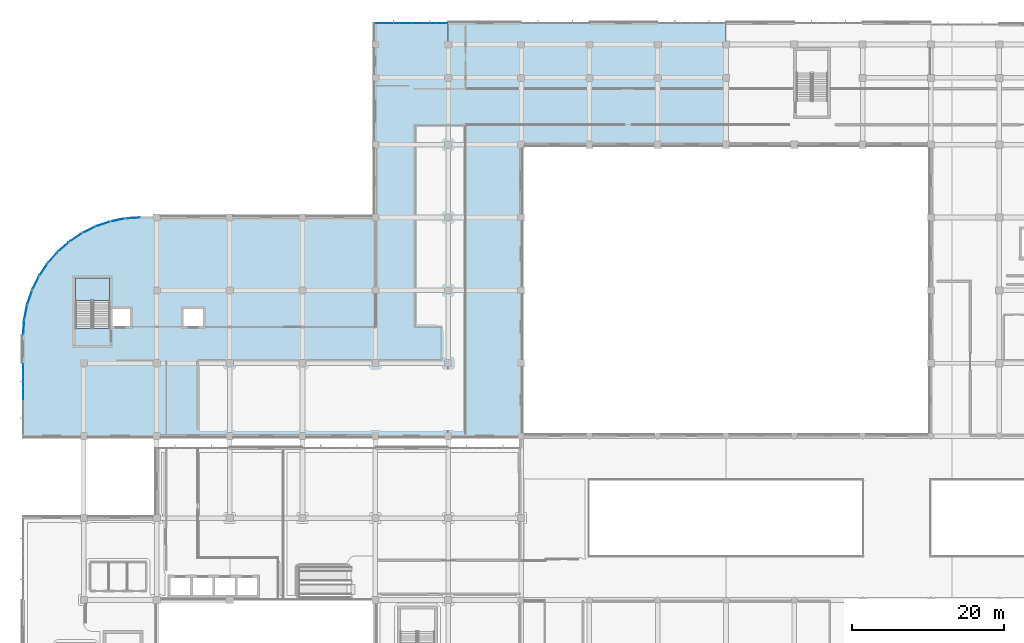
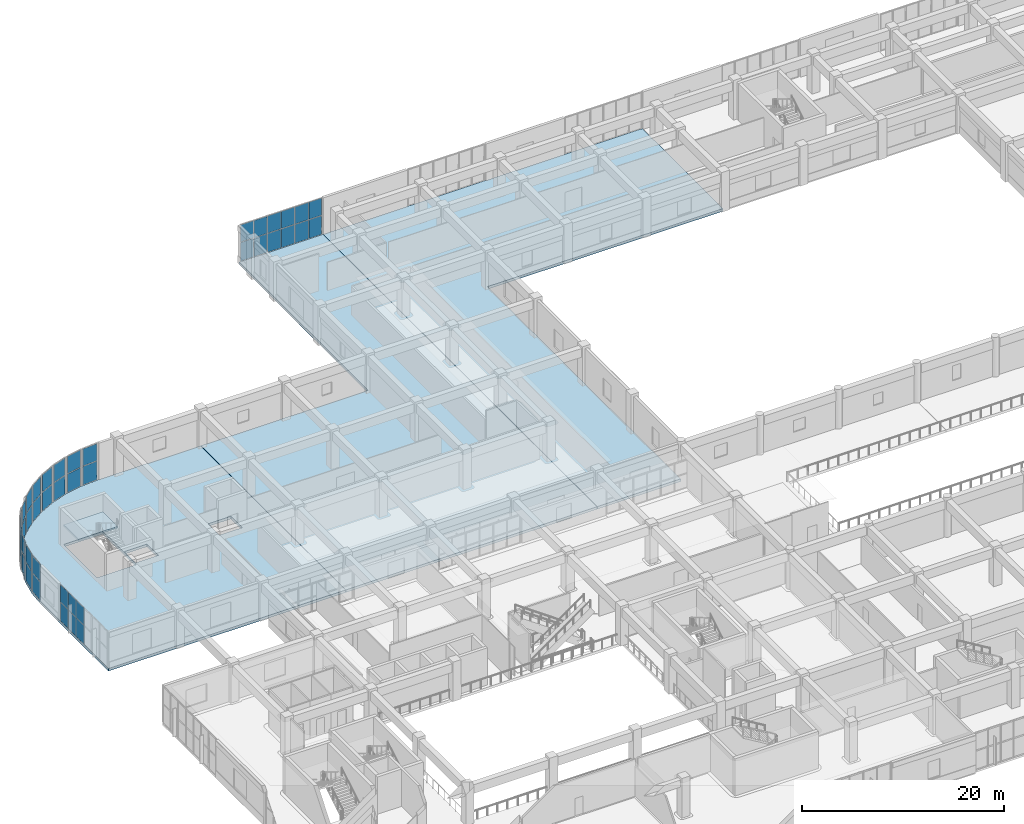
# One storey, part 46 of 86: 42 plates, 4 slabs, 15 elements without a shape of their own.
"""IFC4 building model written with IfcOpenShell, lengths in metres."""

from ifc_helpers import new_model, si_unit, direction, frame, origin, origin_2d, place, context, subcontext, project, spatial, polyline, rectangle, outline, extrude, material, layer, layer_set, type_object, element, aggregate, save


model = new_model("IFC4")

# Units and contexts
model_context = context("Model", 3, precision=1e-05, world=origin(), true_north=direction((0.0, 1.0)))
body_context = subcontext(model_context, "Body", "Model", "MODEL_VIEW")
ifc_project = project(units=[si_unit("LENGTHUNIT", "METRE"), si_unit("AREAUNIT", "SQUARE_METRE"), si_unit("VOLUMEUNIT", "CUBIC_METRE"), si_unit("PLANEANGLEUNIT", "RADIAN"), si_unit("MASSUNIT", "GRAM", prefix="KILO")], contexts=[model_context])

# Site, building, storey
site_placement = place(None, origin())
site = spatial("IfcSite", under=ifc_project, at=site_placement, CompositionType="ELEMENT")
building_placement = place(site_placement, origin())
building = spatial("IfcBuilding", under=site, at=building_placement, Name="Cendralis Terraced Arcade", CompositionType="ELEMENT")
storey_placement = place(building_placement, frame((0.0, 0.0, 5.39990234375)))
storey = spatial("IfcBuildingStorey", under=building, at=storey_placement, Name="L01", CompositionType="ELEMENT", Elevation=5.39990234375)

# Curtain wall, plates
ifc_material_1 = material(Name="Anodised aluminium EN AW-6063 T6", Category="aluminium")
ifc_layer_1 = layer(ifc_material_1, 0.1201171875, Name="CW-STORE-B")
ifc_layer_set_1 = layer_set([ifc_layer_1], Name="Anodised aluminium EN AW-6063 T6")
curtain_wall_type_1 = type_object("IfcCurtainWallType", Name="CW-STORE-B", PredefinedType="USERDEFINED", material=ifc_layer_set_1)
curtain_wall_1_placement = place(storey_placement, origin())
curtain_wall_1 = element("IfcCurtainWall", 1, at=curtain_wall_1_placement, inside=storey, type_object=curtain_wall_type_1, Name="Exterior Storefront Glazing CW-L01-0037", ObjectType="STOREFRONT GLAZING", PredefinedType="USERDEFINED")
ifc_material_2 = material(Name="Tempered solar control laminated glass", Category="glass")
ifc_layer_2 = layer(ifc_material_2, 0.02392578125, Name="CW-STORE-B-PNL")
ifc_layer_set_2 = layer_set([ifc_layer_2], Name="Tempered solar control laminated glass")
plate_type_1 = type_object("IfcPlateType", Name="CW-STORE-B-PNL", PredefinedType="CURTAIN_PANEL", material=ifc_layer_set_2)
plate_1_placement = place(storey_placement, frame((1.60009765625, 65.5849609375, 0.05517578125), z_axis=(0.0, 0.0, 1.0), x_axis=(0.0, 1.0, 0.0)))
plate_1 = element("IfcPlate", 2, at=plate_1_placement, type_object=plate_type_1, Name="CW-S2 panel 4.1", PredefinedType="CURTAIN_PANEL", context=body_context, shape_type="SweptSolid", body=[
    extrude(rectangle(XDim=1.514892578125, YDim=0.02392578125, at=origin_2d()), origin(), (0.0, 0.0, 1.0), 2.260009765625),
])
plate_2_placement = place(storey_placement, frame((1.60009765625, 65.5849609375, 2.3701171875), z_axis=(0.0, 0.0, 1.0), x_axis=(0.0, 1.0, 0.0)))
plate_2 = element("IfcPlate", 3, at=plate_2_placement, type_object=plate_type_1, Name="CW-S2 panel 4.2", PredefinedType="CURTAIN_PANEL", context=body_context, shape_type="SweptSolid", body=[
    extrude(rectangle(XDim=1.514892578125, YDim=0.02392578125, at=origin_2d()), origin(), (0.0, 0.0, 1.0), 2.079833984375),
])
plate_3_placement = place(storey_placement, frame((1.60009765625, 67.155029296875, 0.05517578125), z_axis=(0.0, 0.0, 1.0), x_axis=(0.0, 1.0, 0.0)))
plate_3 = element("IfcPlate", 4, at=plate_3_placement, type_object=plate_type_1, Name="CW-S2 panel 5.1", PredefinedType="CURTAIN_PANEL", context=body_context, shape_type="SweptSolid", body=[
    extrude(rectangle(XDim=1.514892578125, YDim=0.02392578125, at=origin_2d()), origin(), (0.0, 0.0, 1.0), 2.260009765625),
])
plate_4_placement = place(storey_placement, frame((1.60009765625, 67.155029296875, 2.3701171875), z_axis=(0.0, 0.0, 1.0), x_axis=(0.0, 1.0, 0.0)))
plate_4 = element("IfcPlate", 5, at=plate_4_placement, type_object=plate_type_1, Name="CW-S2 panel 5.2", PredefinedType="CURTAIN_PANEL", context=body_context, shape_type="SweptSolid", body=[
    extrude(rectangle(XDim=1.514892578125, YDim=0.02392578125, at=origin_2d()), origin(), (0.0, 0.0, 1.0), 2.079833984375),
])
plate_5_placement = place(storey_placement, frame((1.60009765625, 68.711181640625, 0.05517578125), z_axis=(0.0, 0.0, 1.0), x_axis=(0.0, 1.0, 0.0)))
plate_5 = element("IfcPlate", 6, at=plate_5_placement, type_object=plate_type_1, Name="CW-S2 panel 6.1", PredefinedType="CURTAIN_PANEL", context=body_context, shape_type="SweptSolid", body=[
    extrude(rectangle(XDim=1.487548828125, YDim=0.02392578125, at=origin_2d()), origin(), (0.0, 0.0, 1.0), 2.260009765625),
])
plate_6_placement = place(storey_placement, frame((1.60009765625, 68.711181640625, 2.3701171875), z_axis=(0.0, 0.0, 1.0), x_axis=(0.0, 1.0, 0.0)))
plate_6 = element("IfcPlate", 7, at=plate_6_placement, type_object=plate_type_1, Name="CW-S2 panel 6.2", PredefinedType="CURTAIN_PANEL", context=body_context, shape_type="SweptSolid", body=[
    extrude(rectangle(XDim=1.487548828125, YDim=0.02392578125, at=origin_2d()), origin(), (0.0, 0.0, 1.0), 2.079833984375),
])
aggregate(curtain_wall_1, [plate_1, plate_2, plate_3, plate_4, plate_5, plate_6])

curtain_wall_2_placement = place(storey_placement, origin())
curtain_wall_2 = element("IfcCurtainWall", 8, at=curtain_wall_2_placement, inside=storey, type_object=curtain_wall_type_1, Name="Exterior Storefront Glazing CW-L01-0050", ObjectType="STOREFRONT GLAZING", PredefinedType="USERDEFINED")
plate_7_placement = place(storey_placement, frame((48.888671875, 114.39990234375, 0.05517578125), z_axis=(0.0, 0.0, 1.0), x_axis=(1.0, 0.0, 0.0)))
plate_7 = element("IfcPlate", 9, at=plate_7_placement, type_object=plate_type_1, Name="CW-S2 panel 1.1", PredefinedType="CURTAIN_PANEL", context=body_context, shape_type="SweptSolid", body=[
    extrude(rectangle(XDim=1.487548828125, YDim=0.02392578125, at=origin_2d()), origin(), (0.0, 0.0, 1.0), 2.260009765625),
])
plate_8_placement = place(storey_placement, frame((48.888671875, 114.39990234375, 2.3701171875), z_axis=(0.0, 0.0, 1.0), x_axis=(1.0, 0.0, 0.0)))
plate_8 = element("IfcPlate", 10, at=plate_8_placement, type_object=plate_type_1, Name="CW-S2 panel 1.2", PredefinedType="CURTAIN_PANEL", context=body_context, shape_type="SweptSolid", body=[
    extrude(rectangle(XDim=1.487548828125, YDim=0.02392578125, at=origin_2d()), origin(), (0.0, 0.0, 1.0), 2.079833984375),
])
plate_9_placement = place(storey_placement, frame((50.445068359375, 114.39990234375, 0.05517578125), z_axis=(0.0, 0.0, 1.0), x_axis=(1.0, 0.0, 0.0)))
plate_9 = element("IfcPlate", 11, at=plate_9_placement, type_object=plate_type_1, Name="CW-S2 panel 2.1", PredefinedType="CURTAIN_PANEL", context=body_context, shape_type="SweptSolid", body=[
    extrude(rectangle(XDim=1.514892578125, YDim=0.02392578125, at=origin_2d()), origin(), (0.0, 0.0, 1.0), 2.260009765625),
])
plate_10_placement = place(storey_placement, frame((50.445068359375, 114.39990234375, 2.3701171875), z_axis=(0.0, 0.0, 1.0), x_axis=(1.0, 0.0, 0.0)))
plate_10 = element("IfcPlate", 12, at=plate_10_placement, type_object=plate_type_1, Name="CW-S2 panel 2.2", PredefinedType="CURTAIN_PANEL", context=body_context, shape_type="SweptSolid", body=[
    extrude(rectangle(XDim=1.514892578125, YDim=0.02392578125, at=origin_2d()), origin(), (0.0, 0.0, 1.0), 2.079833984375),
])
plate_11_placement = place(storey_placement, frame((52.014892578125, 114.39990234375, 0.05517578125), z_axis=(0.0, 0.0, 1.0), x_axis=(1.0, 0.0, 0.0)))
plate_11 = element("IfcPlate", 13, at=plate_11_placement, type_object=plate_type_1, Name="CW-S2 panel 3.1", PredefinedType="CURTAIN_PANEL", context=body_context, shape_type="SweptSolid", body=[
    extrude(rectangle(XDim=1.514892578125, YDim=0.02392578125, at=origin_2d()), origin(), (0.0, 0.0, 1.0), 2.260009765625),
])
plate_12_placement = place(storey_placement, frame((52.014892578125, 114.39990234375, 2.3701171875), z_axis=(0.0, 0.0, 1.0), x_axis=(1.0, 0.0, 0.0)))
plate_12 = element("IfcPlate", 14, at=plate_12_placement, type_object=plate_type_1, Name="CW-S2 panel 3.2", PredefinedType="CURTAIN_PANEL", context=body_context, shape_type="SweptSolid", body=[
    extrude(rectangle(XDim=1.514892578125, YDim=0.02392578125, at=origin_2d()), origin(), (0.0, 0.0, 1.0), 2.079833984375),
])
plate_13_placement = place(storey_placement, frame((53.5849609375, 114.39990234375, 0.05517578125), z_axis=(0.0, 0.0, 1.0), x_axis=(1.0, 0.0, 0.0)))
plate_13 = element("IfcPlate", 15, at=plate_13_placement, type_object=plate_type_1, Name="CW-S2 panel 4.1", PredefinedType="CURTAIN_PANEL", context=body_context, shape_type="SweptSolid", body=[
    extrude(rectangle(XDim=1.514892578125, YDim=0.02392578125, at=origin_2d()), origin(), (0.0, 0.0, 1.0), 2.260009765625),
])
plate_14_placement = place(storey_placement, frame((53.5849609375, 114.39990234375, 2.3701171875), z_axis=(0.0, 0.0, 1.0), x_axis=(1.0, 0.0, 0.0)))
plate_14 = element("IfcPlate", 16, at=plate_14_placement, type_object=plate_type_1, Name="CW-S2 panel 4.2", PredefinedType="CURTAIN_PANEL", context=body_context, shape_type="SweptSolid", body=[
    extrude(rectangle(XDim=1.514892578125, YDim=0.02392578125, at=origin_2d()), origin(), (0.0, 0.0, 1.0), 2.079833984375),
])
plate_15_placement = place(storey_placement, frame((55.155029296875, 114.39990234375, 0.05517578125), z_axis=(0.0, 0.0, 1.0), x_axis=(1.0, 0.0, 0.0)))
plate_15 = element("IfcPlate", 17, at=plate_15_placement, type_object=plate_type_1, Name="CW-S2 panel 5.1", PredefinedType="CURTAIN_PANEL", context=body_context, shape_type="SweptSolid", body=[
    extrude(rectangle(XDim=1.514892578125, YDim=0.02392578125, at=origin_2d()), origin(), (0.0, 0.0, 1.0), 2.260009765625),
])
plate_16_placement = place(storey_placement, frame((55.155029296875, 114.39990234375, 2.3701171875), z_axis=(0.0, 0.0, 1.0), x_axis=(1.0, 0.0, 0.0)))
plate_16 = element("IfcPlate", 18, at=plate_16_placement, type_object=plate_type_1, Name="CW-S2 panel 5.2", PredefinedType="CURTAIN_PANEL", context=body_context, shape_type="SweptSolid", body=[
    extrude(rectangle(XDim=1.514892578125, YDim=0.02392578125, at=origin_2d()), origin(), (0.0, 0.0, 1.0), 2.079833984375),
])
plate_17_placement = place(storey_placement, frame((56.711181640625, 114.39990234375, 0.05517578125), z_axis=(0.0, 0.0, 1.0), x_axis=(1.0, 0.0, 0.0)))
plate_17 = element("IfcPlate", 19, at=plate_17_placement, type_object=plate_type_1, Name="CW-S2 panel 6.1", PredefinedType="CURTAIN_PANEL", context=body_context, shape_type="SweptSolid", body=[
    extrude(rectangle(XDim=1.487548828125, YDim=0.02392578125, at=origin_2d()), origin(), (0.0, 0.0, 1.0), 2.260009765625),
])
plate_18_placement = place(storey_placement, frame((56.711181640625, 114.39990234375, 2.3701171875), z_axis=(0.0, 0.0, 1.0), x_axis=(1.0, 0.0, 0.0)))
plate_18 = element("IfcPlate", 20, at=plate_18_placement, type_object=plate_type_1, Name="CW-S2 panel 6.2", PredefinedType="CURTAIN_PANEL", context=body_context, shape_type="SweptSolid", body=[
    extrude(rectangle(XDim=1.487548828125, YDim=0.02392578125, at=origin_2d()), origin(), (0.0, 0.0, 1.0), 2.079833984375),
])
aggregate(curtain_wall_2, [plate_7, plate_8, plate_9, plate_10, plate_11, plate_12, plate_13, plate_14, plate_15, plate_16, plate_17, plate_18])

ifc_layer_3 = layer(ifc_material_1, 0.179931640625, Name="CW-UNIT-A")
ifc_layer_set_3 = layer_set([ifc_layer_3], Name="Anodised aluminium EN AW-6063 T6")
curtain_wall_type_2 = type_object("IfcCurtainWallType", Name="CW-UNIT-A", PredefinedType="USERDEFINED", material=ifc_layer_set_3)
curtain_wall_3_placement = place(storey_placement, origin())
curtain_wall_3 = element("IfcCurtainWall", 21, at=curtain_wall_3_placement, inside=storey, type_object=curtain_wall_type_2, Name="Exterior Unitised Facade CW-L01-0038", ObjectType="UNITISED FACADE", PredefinedType="USERDEFINED")
ifc_layer_4 = layer(ifc_material_2, 0.035888671875, Name="CW-UNIT-A-PNL")
ifc_layer_set_4 = layer_set([ifc_layer_4], Name="Tempered solar control laminated glass")
plate_type_2 = type_object("IfcPlateType", Name="CW-UNIT-A-PNL", PredefinedType="CURTAIN_PANEL", material=ifc_layer_set_4)
plate_19_placement = place(storey_placement, frame((1.666259765625, 74.3115234375, 0.065185546875), z_axis=(0.0, 0.0, 1.0), x_axis=(0.065383766124, 0.997860192175, 0.0)))
plate_19 = element("IfcPlate", 22, at=plate_19_placement, type_object=plate_type_2, Name="CW-U1 panel 1.1", PredefinedType="CURTAIN_PANEL", context=body_context, shape_type="SweptSolid", body=[
    extrude(rectangle(XDim=1.717529296875, YDim=0.035888671875, at=origin_2d()), origin(), (0.0, 0.0, 1.0), 2.2451171875),
])
plate_20_placement = place(storey_placement, frame((1.666259765625, 74.3115234375, 2.375244140625), z_axis=(0.0, 0.0, 1.0), x_axis=(0.065383766124, 0.997860192175, 0.0)))
plate_20 = element("IfcPlate", 23, at=plate_20_placement, type_object=plate_type_2, Name="CW-U1 panel 1.2", PredefinedType="CURTAIN_PANEL", context=body_context, shape_type="SweptSolid", body=[
    extrude(rectangle(XDim=1.717529296875, YDim=0.035888671875, at=origin_2d()), origin(), (0.0, 0.0, 1.0), 2.06494140625),
])
aggregate(curtain_wall_3, [plate_19, plate_20])

curtain_wall_4_placement = place(storey_placement, origin())
curtain_wall_4 = element("IfcCurtainWall", 24, at=curtain_wall_4_placement, inside=storey, type_object=curtain_wall_type_2, Name="Exterior Unitised Facade CW-L01-0039", ObjectType="UNITISED FACADE", PredefinedType="USERDEFINED")
plate_21_placement = place(storey_placement, frame((1.930419921875, 76.3173828125, 0.065185546875), z_axis=(0.0, 0.0, 1.0), x_axis=(0.195033398913, 0.980796601395, 0.0)))
plate_21 = element("IfcPlate", 25, at=plate_21_placement, type_object=plate_type_2, Name="CW-U1 panel 1.1", PredefinedType="CURTAIN_PANEL", context=body_context, shape_type="SweptSolid", body=[
    extrude(rectangle(XDim=1.71728515625, YDim=0.035888671875, at=origin_2d()), origin(), (0.0, 0.0, 1.0), 2.2451171875),
])
plate_22_placement = place(storey_placement, frame((1.930419921875, 76.3173828125, 2.375244140625), z_axis=(0.0, 0.0, 1.0), x_axis=(0.195033398913, 0.980796601395, 0.0)))
plate_22 = element("IfcPlate", 26, at=plate_22_placement, type_object=plate_type_2, Name="CW-U1 panel 1.2", PredefinedType="CURTAIN_PANEL", context=body_context, shape_type="SweptSolid", body=[
    extrude(rectangle(XDim=1.71728515625, YDim=0.035888671875, at=origin_2d()), origin(), (0.0, 0.0, 1.0), 2.06494140625),
])
aggregate(curtain_wall_4, [plate_21, plate_22])

curtain_wall_5_placement = place(storey_placement, origin())
curtain_wall_5 = element("IfcCurtainWall", 27, at=curtain_wall_5_placement, inside=storey, type_object=curtain_wall_type_2, Name="Exterior Unitised Facade CW-L01-0040", ObjectType="UNITISED FACADE", PredefinedType="USERDEFINED")
plate_23_placement = place(storey_placement, frame((2.4541015625, 78.271728515625, 0.065185546875), z_axis=(0.0, 0.0, 1.0), x_axis=(0.32150002033, 0.946909571674, 0.0)))
plate_23 = element("IfcPlate", 28, at=plate_23_placement, type_object=plate_type_2, Name="CW-U1 panel 1.1", PredefinedType="CURTAIN_PANEL", context=body_context, shape_type="SweptSolid", body=[
    extrude(rectangle(XDim=1.717529296875, YDim=0.035888671875, at=origin_2d()), origin(), (0.0, 0.0, 1.0), 2.2451171875),
])
plate_24_placement = place(storey_placement, frame((2.4541015625, 78.271728515625, 2.375244140625), z_axis=(0.0, 0.0, 1.0), x_axis=(0.32150002033, 0.946909571674, 0.0)))
plate_24 = element("IfcPlate", 29, at=plate_24_placement, type_object=plate_type_2, Name="CW-U1 panel 1.2", PredefinedType="CURTAIN_PANEL", context=body_context, shape_type="SweptSolid", body=[
    extrude(rectangle(XDim=1.717529296875, YDim=0.035888671875, at=origin_2d()), origin(), (0.0, 0.0, 1.0), 2.06494140625),
])
aggregate(curtain_wall_5, [plate_23, plate_24])

curtain_wall_6_placement = place(storey_placement, origin())
curtain_wall_6 = element("IfcCurtainWall", 30, at=curtain_wall_6_placement, inside=storey, type_object=curtain_wall_type_2, Name="Exterior Unitised Facade CW-L01-0041", ObjectType="UNITISED FACADE", PredefinedType="USERDEFINED")
plate_25_placement = place(storey_placement, frame((3.228271484375, 80.140869140625, 0.065185546875), z_axis=(0.0, 0.0, 1.0), x_axis=(0.442270416572, 0.896881752867, 0.0)))
plate_25 = element("IfcPlate", 31, at=plate_25_placement, type_object=plate_type_2, Name="CW-U1 panel 1.1", PredefinedType="CURTAIN_PANEL", context=body_context, shape_type="SweptSolid", body=[
    extrude(rectangle(XDim=1.717529296875, YDim=0.035888671875, at=origin_2d()), origin(), (0.0, 0.0, 1.0), 2.2451171875),
])
plate_26_placement = place(storey_placement, frame((3.228271484375, 80.140869140625, 2.375244140625), z_axis=(0.0, 0.0, 1.0), x_axis=(0.442270416572, 0.896881752867, 0.0)))
plate_26 = element("IfcPlate", 32, at=plate_26_placement, type_object=plate_type_2, Name="CW-U1 panel 1.2", PredefinedType="CURTAIN_PANEL", context=body_context, shape_type="SweptSolid", body=[
    extrude(rectangle(XDim=1.717529296875, YDim=0.035888671875, at=origin_2d()), origin(), (0.0, 0.0, 1.0), 2.06494140625),
])
aggregate(curtain_wall_6, [plate_25, plate_26])

curtain_wall_7_placement = place(storey_placement, origin())
curtain_wall_7 = element("IfcCurtainWall", 33, at=curtain_wall_7_placement, inside=storey, type_object=curtain_wall_type_2, Name="Exterior Unitised Facade CW-L01-0042", ObjectType="UNITISED FACADE", PredefinedType="USERDEFINED")
plate_27_placement = place(storey_placement, frame((4.23974609375, 81.892822265625, 0.065185546875), z_axis=(0.0, 0.0, 1.0), x_axis=(0.555549269065, 0.831483619587, 0.0)))
plate_27 = element("IfcPlate", 34, at=plate_27_placement, type_object=plate_type_2, Name="CW-U1 panel 1.1", PredefinedType="CURTAIN_PANEL", context=body_context, shape_type="SweptSolid", body=[
    extrude(rectangle(XDim=1.717529296875, YDim=0.035888671875, at=origin_2d()), origin(), (0.0, 0.0, 1.0), 2.2451171875),
])
plate_28_placement = place(storey_placement, frame((4.23974609375, 81.892822265625, 2.375244140625), z_axis=(0.0, 0.0, 1.0), x_axis=(0.555549269065, 0.831483619587, 0.0)))
plate_28 = element("IfcPlate", 35, at=plate_28_placement, type_object=plate_type_2, Name="CW-U1 panel 1.2", PredefinedType="CURTAIN_PANEL", context=body_context, shape_type="SweptSolid", body=[
    extrude(rectangle(XDim=1.717529296875, YDim=0.035888671875, at=origin_2d()), origin(), (0.0, 0.0, 1.0), 2.06494140625),
])
aggregate(curtain_wall_7, [plate_27, plate_28])

curtain_wall_8_placement = place(storey_placement, origin())
curtain_wall_8 = element("IfcCurtainWall", 36, at=curtain_wall_8_placement, inside=storey, type_object=curtain_wall_type_2, Name="Exterior Unitised Facade CW-L01-0043", ObjectType="UNITISED FACADE", PredefinedType="USERDEFINED")
plate_29_placement = place(storey_placement, frame((5.471435546875, 83.498046875, 0.065185546875), z_axis=(0.0, 0.0, 1.0), x_axis=(0.659370197402, 0.751818424075, 0.0)))
plate_29 = element("IfcPlate", 37, at=plate_29_placement, type_object=plate_type_2, Name="CW-U1 panel 1.1", PredefinedType="CURTAIN_PANEL", context=body_context, shape_type="SweptSolid", body=[
    extrude(rectangle(XDim=1.717529296875, YDim=0.035888671875, at=origin_2d()), origin(), (0.0, 0.0, 1.0), 2.2451171875),
])
plate_30_placement = place(storey_placement, frame((5.471435546875, 83.498046875, 2.375244140625), z_axis=(0.0, 0.0, 1.0), x_axis=(0.659370197402, 0.751818424075, 0.0)))
plate_30 = element("IfcPlate", 38, at=plate_30_placement, type_object=plate_type_2, Name="CW-U1 panel 1.2", PredefinedType="CURTAIN_PANEL", context=body_context, shape_type="SweptSolid", body=[
    extrude(rectangle(XDim=1.717529296875, YDim=0.035888671875, at=origin_2d()), origin(), (0.0, 0.0, 1.0), 2.06494140625),
])
aggregate(curtain_wall_8, [plate_29, plate_30])

curtain_wall_9_placement = place(storey_placement, origin())
curtain_wall_9 = element("IfcCurtainWall", 39, at=curtain_wall_9_placement, inside=storey, type_object=curtain_wall_type_2, Name="Exterior Unitised Facade CW-L01-0044", ObjectType="UNITISED FACADE", PredefinedType="USERDEFINED")
plate_31_placement = place(storey_placement, frame((6.902099609375, 84.9287109375, 0.065185546875), z_axis=(0.0, 0.0, 1.0), x_axis=(0.751818424075, 0.659370197402, 0.0)))
plate_31 = element("IfcPlate", 40, at=plate_31_placement, type_object=plate_type_2, Name="CW-U1 panel 1.1", PredefinedType="CURTAIN_PANEL", context=body_context, shape_type="SweptSolid", body=[
    extrude(rectangle(XDim=1.717529296875, YDim=0.035888671875, at=origin_2d()), origin(), (0.0, 0.0, 1.0), 2.2451171875),
])
plate_32_placement = place(storey_placement, frame((6.902099609375, 84.9287109375, 2.375244140625), z_axis=(0.0, 0.0, 1.0), x_axis=(0.751818424075, 0.659370197402, 0.0)))
plate_32 = element("IfcPlate", 41, at=plate_32_placement, type_object=plate_type_2, Name="CW-U1 panel 1.2", PredefinedType="CURTAIN_PANEL", context=body_context, shape_type="SweptSolid", body=[
    extrude(rectangle(XDim=1.717529296875, YDim=0.035888671875, at=origin_2d()), origin(), (0.0, 0.0, 1.0), 2.06494140625),
])
aggregate(curtain_wall_9, [plate_31, plate_32])

curtain_wall_10_placement = place(storey_placement, origin())
curtain_wall_10 = element("IfcCurtainWall", 42, at=curtain_wall_10_placement, inside=storey, type_object=curtain_wall_type_2, Name="Exterior Unitised Facade CW-L01-0045", ObjectType="UNITISED FACADE", PredefinedType="USERDEFINED")
plate_33_placement = place(storey_placement, frame((8.507080078125, 86.16015625, 0.065185546875), z_axis=(0.0, 0.0, 1.0), x_axis=(0.831483619587, 0.555549269065, 0.0)))
plate_33 = element("IfcPlate", 43, at=plate_33_placement, type_object=plate_type_2, Name="CW-U1 panel 1.1", PredefinedType="CURTAIN_PANEL", context=body_context, shape_type="SweptSolid", body=[
    extrude(rectangle(XDim=1.717529296875, YDim=0.035888671875, at=origin_2d()), origin(), (0.0, 0.0, 1.0), 2.2451171875),
])
plate_34_placement = place(storey_placement, frame((8.507080078125, 86.16015625, 2.375244140625), z_axis=(0.0, 0.0, 1.0), x_axis=(0.831483619587, 0.555549269065, 0.0)))
plate_34 = element("IfcPlate", 44, at=plate_34_placement, type_object=plate_type_2, Name="CW-U1 panel 1.2", PredefinedType="CURTAIN_PANEL", context=body_context, shape_type="SweptSolid", body=[
    extrude(rectangle(XDim=1.717529296875, YDim=0.035888671875, at=origin_2d()), origin(), (0.0, 0.0, 1.0), 2.06494140625),
])
aggregate(curtain_wall_10, [plate_33, plate_34])

curtain_wall_11_placement = place(storey_placement, origin())
curtain_wall_11 = element("IfcCurtainWall", 45, at=curtain_wall_11_placement, inside=storey, type_object=curtain_wall_type_2, Name="Exterior Unitised Facade CW-L01-0046", ObjectType="UNITISED FACADE", PredefinedType="USERDEFINED")
plate_35_placement = place(storey_placement, frame((10.25927734375, 87.171630859375, 0.065185546875), z_axis=(0.0, 0.0, 1.0), x_axis=(0.896881752867, 0.442270416572, 0.0)))
plate_35 = element("IfcPlate", 46, at=plate_35_placement, type_object=plate_type_2, Name="CW-U1 panel 1.1", PredefinedType="CURTAIN_PANEL", context=body_context, shape_type="SweptSolid", body=[
    extrude(rectangle(XDim=1.717529296875, YDim=0.035888671875, at=origin_2d()), origin(), (0.0, 0.0, 1.0), 2.2451171875),
])
plate_36_placement = place(storey_placement, frame((10.25927734375, 87.171630859375, 2.375244140625), z_axis=(0.0, 0.0, 1.0), x_axis=(0.896881752867, 0.442270416572, 0.0)))
plate_36 = element("IfcPlate", 47, at=plate_36_placement, type_object=plate_type_2, Name="CW-U1 panel 1.2", PredefinedType="CURTAIN_PANEL", context=body_context, shape_type="SweptSolid", body=[
    extrude(rectangle(XDim=1.717529296875, YDim=0.035888671875, at=origin_2d()), origin(), (0.0, 0.0, 1.0), 2.06494140625),
])
aggregate(curtain_wall_11, [plate_35, plate_36])

curtain_wall_12_placement = place(storey_placement, origin())
curtain_wall_12 = element("IfcCurtainWall", 48, at=curtain_wall_12_placement, inside=storey, type_object=curtain_wall_type_2, Name="Exterior Unitised Facade CW-L01-0047", ObjectType="UNITISED FACADE", PredefinedType="USERDEFINED")
plate_37_placement = place(storey_placement, frame((12.12841796875, 87.946044921875, 0.065185546875), z_axis=(0.0, 0.0, 1.0), x_axis=(0.946909571674, 0.32150002033, 0.0)))
plate_37 = element("IfcPlate", 49, at=plate_37_placement, type_object=plate_type_2, Name="CW-U1 panel 1.1", PredefinedType="CURTAIN_PANEL", context=body_context, shape_type="SweptSolid", body=[
    extrude(rectangle(XDim=1.717529296875, YDim=0.035888671875, at=origin_2d()), origin(), (0.0, 0.0, 1.0), 2.2451171875),
])
plate_38_placement = place(storey_placement, frame((12.12841796875, 87.946044921875, 2.375244140625), z_axis=(0.0, 0.0, 1.0), x_axis=(0.946909571674, 0.32150002033, 0.0)))
plate_38 = element("IfcPlate", 50, at=plate_38_placement, type_object=plate_type_2, Name="CW-U1 panel 1.2", PredefinedType="CURTAIN_PANEL", context=body_context, shape_type="SweptSolid", body=[
    extrude(rectangle(XDim=1.717529296875, YDim=0.035888671875, at=origin_2d()), origin(), (0.0, 0.0, 1.0), 2.06494140625),
])
aggregate(curtain_wall_12, [plate_37, plate_38])

curtain_wall_13_placement = place(storey_placement, origin())
curtain_wall_13 = element("IfcCurtainWall", 51, at=curtain_wall_13_placement, inside=storey, type_object=curtain_wall_type_2, Name="Exterior Unitised Facade CW-L01-0048", ObjectType="UNITISED FACADE", PredefinedType="USERDEFINED")
plate_39_placement = place(storey_placement, frame((14.08251953125, 88.4697265625, 0.065185546875), z_axis=(0.0, 0.0, 1.0), x_axis=(0.980796601395, 0.195033398913, 0.0)))
plate_39 = element("IfcPlate", 52, at=plate_39_placement, type_object=plate_type_2, Name="CW-U1 panel 1.1", PredefinedType="CURTAIN_PANEL", context=body_context, shape_type="SweptSolid", body=[
    extrude(rectangle(XDim=1.71728515625, YDim=0.035888671875, at=origin_2d()), origin(), (0.0, 0.0, 1.0), 2.2451171875),
])
plate_40_placement = place(storey_placement, frame((14.08251953125, 88.4697265625, 2.375244140625), z_axis=(0.0, 0.0, 1.0), x_axis=(0.980796601395, 0.195033398913, 0.0)))
plate_40 = element("IfcPlate", 53, at=plate_40_placement, type_object=plate_type_2, Name="CW-U1 panel 1.2", PredefinedType="CURTAIN_PANEL", context=body_context, shape_type="SweptSolid", body=[
    extrude(rectangle(XDim=1.71728515625, YDim=0.035888671875, at=origin_2d()), origin(), (0.0, 0.0, 1.0), 2.06494140625),
])
aggregate(curtain_wall_13, [plate_39, plate_40])

curtain_wall_14_placement = place(storey_placement, origin())
curtain_wall_14 = element("IfcCurtainWall", 54, at=curtain_wall_14_placement, inside=storey, type_object=curtain_wall_type_2, Name="Exterior Unitised Facade CW-L01-0049", ObjectType="UNITISED FACADE", PredefinedType="USERDEFINED")
plate_41_placement = place(storey_placement, frame((16.08837890625, 88.733642578125, 0.065185546875), z_axis=(0.0, 0.0, 1.0), x_axis=(0.997860192175, 0.065383766124, 0.0)))
plate_41 = element("IfcPlate", 55, at=plate_41_placement, type_object=plate_type_2, Name="CW-U1 panel 1.1", PredefinedType="CURTAIN_PANEL", context=body_context, shape_type="SweptSolid", body=[
    extrude(rectangle(XDim=1.717529296875, YDim=0.035888671875, at=origin_2d()), origin(), (0.0, 0.0, 1.0), 2.2451171875),
])
plate_42_placement = place(storey_placement, frame((16.08837890625, 88.733642578125, 2.375244140625), z_axis=(0.0, 0.0, 1.0), x_axis=(0.997860192175, 0.065383766124, 0.0)))
plate_42 = element("IfcPlate", 56, at=plate_42_placement, type_object=plate_type_2, Name="CW-U1 panel 1.2", PredefinedType="CURTAIN_PANEL", context=body_context, shape_type="SweptSolid", body=[
    extrude(rectangle(XDim=1.717529296875, YDim=0.035888671875, at=origin_2d()), origin(), (0.0, 0.0, 1.0), 2.06494140625),
])
aggregate(curtain_wall_14, [plate_41, plate_42])

# Slabs
ifc_material_3 = material(Name="Concrete f'c 35 MPa", Category="concrete")
ifc_layer_5 = layer(ifc_material_3, 0.31005859375, Name="SLB-L01-310")
ifc_layer_set_5 = layer_set([ifc_layer_5], Name="Concrete f'c 35 MPa")
slab_type_1 = type_object("IfcSlabType", Name="SLB-L01-310", PredefinedType="FLOOR", material=ifc_layer_set_5)
slab_1_placement = place(storey_placement, frame((0.0, 0.0, -0.309814453125)))
element("IfcSlab", 57, at=slab_1_placement, inside=storey, type_object=slab_type_1, Name="Reinforced Concrete Floor Slab SLB-L01-V3-W1-1", PredefinedType="FLOOR", context=body_context, shape_type="SweptSolid", body=[
    extrude(outline(polyline([(2.128173828125, 77.311767578125), (2.77978515625, 79.231689453125), (3.676513671875, 81.050048828125), (4.802978515625, 82.73583984375), (6.139892578125, 84.26025390625), (7.664306640625, 85.596923828125), (9.35009765625, 86.723388671875), (11.16845703125, 87.6201171875), (13.08837890625, 88.27197265625), (15.076904296875, 88.66748046875), (17.10009765625, 88.800048828125), (28.800048828125, 88.800048828125), (28.800048828125, 60.0), (1.60009765625, 60.0), (1.60009765625, 73.300048828125), (1.732666015625, 75.3232421875), (2.128173828125, 77.311767578125)]), holes=[polyline([(15.699951171875, 76.72509765625), (13.10009765625, 76.72509765625), (13.10009765625, 74.47509765625), (15.699951171875, 74.47509765625), (15.699951171875, 76.72509765625)]), polyline([(25.300048828125, 76.72509765625), (22.699951171875, 76.72509765625), (22.699951171875, 74.47509765625), (25.300048828125, 74.47509765625), (25.300048828125, 76.72509765625)]), polyline([(8.5, 80.800048828125), (8.5, 74.179931640625), (13.0, 74.179931640625), (13.0, 80.800048828125), (8.5, 80.800048828125)])]), origin(), (0.0, 0.0, 1.0), 0.309814453125),
])
slab_2_placement = place(storey_placement, frame((0.0, 0.0, -0.309814453125)))
element("IfcSlab", 58, at=slab_2_placement, inside=storey, type_object=slab_type_1, Name="Reinforced Concrete Floor Slab SLB-L01-V3-W2-1", PredefinedType="FLOOR", context=body_context, shape_type="SweptSolid", body=[
    extrude(outline(polyline([(57.60009765625, 114.39990234375), (57.60009765625, 60.0), (28.820068359375, 60.0), (28.820068359375, 88.800048828125), (48.0, 88.800048828125), (48.0, 114.39990234375), (57.60009765625, 114.39990234375)])), origin(), (0.0, 0.0, 1.0), 0.309814453125),
])
slab_3_placement = place(storey_placement, frame((0.0, 0.0, -0.309814453125)))
element("IfcSlab", 59, at=slab_3_placement, inside=storey, type_object=slab_type_1, Name="Reinforced Concrete Floor Slab SLB-L01-V3-C1-1", PredefinedType="FLOOR", context=body_context, shape_type="SweptSolid", body=[
    extrude(outline(polyline([(67.199951171875, 98.39990234375), (67.199951171875, 60.02001953125), (57.6201171875, 60.0), (57.6201171875, 114.39990234375), (94.199951171875, 114.39990234375), (94.199951171875, 98.39990234375), (67.199951171875, 98.39990234375)])), origin(), (0.0, 0.0, 1.0), 0.309814453125),
])

# Stair, slab
stair_type = type_object("IfcStairType", Name="STR-W215-H480", PredefinedType="HALF_TURN_STAIR", material=ifc_material_3)
stair_placement = place(storey_placement, origin())
stair = element("IfcStair", 60, at=stair_placement, inside=storey, type_object=stair_type, Name="L01 Protected Exit Stair ST-07", PredefinedType="HALF_TURN_STAIR")
ifc_layer_6 = layer(ifc_material_3, 0.199951171875, Name="SLB-STAIR-LND-200")
ifc_layer_set_6 = layer_set([ifc_layer_6], Name="Concrete f'c 35 MPa")
slab_type_2 = type_object("IfcSlabType", Name="SLB-STAIR-LND-200", PredefinedType="LANDING", material=ifc_layer_set_6)
slab_4_placement = place(storey_placement, frame((0.0, 0.0, 2.2001953125)))
slab_4 = element("IfcSlab", 61, at=slab_4_placement, type_object=slab_type_2, Name="ST-07 landing 1", PredefinedType="LANDING", context=body_context, shape_type="SweptSolid", body=[
    extrude(outline(polyline([(13.0, 77.85498046875), (13.0, 80.800048828125), (8.5, 80.800048828125), (8.5, 77.85498046875), (13.0, 77.85498046875)])), origin(), (0.0, 0.0, 1.0), 0.199951171875),
])
aggregate(stair, [slab_4])

save(model, "model.ifc")
